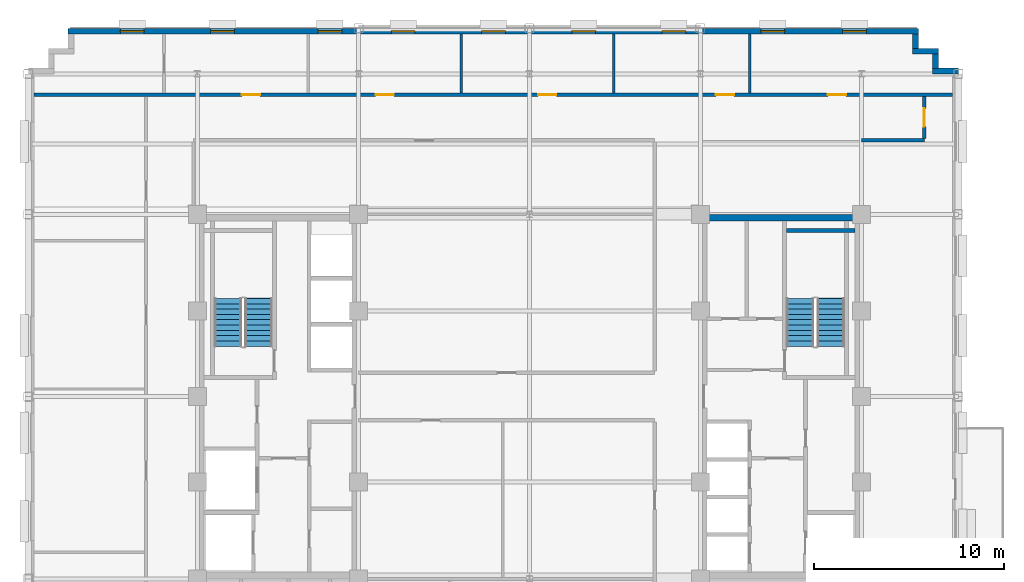
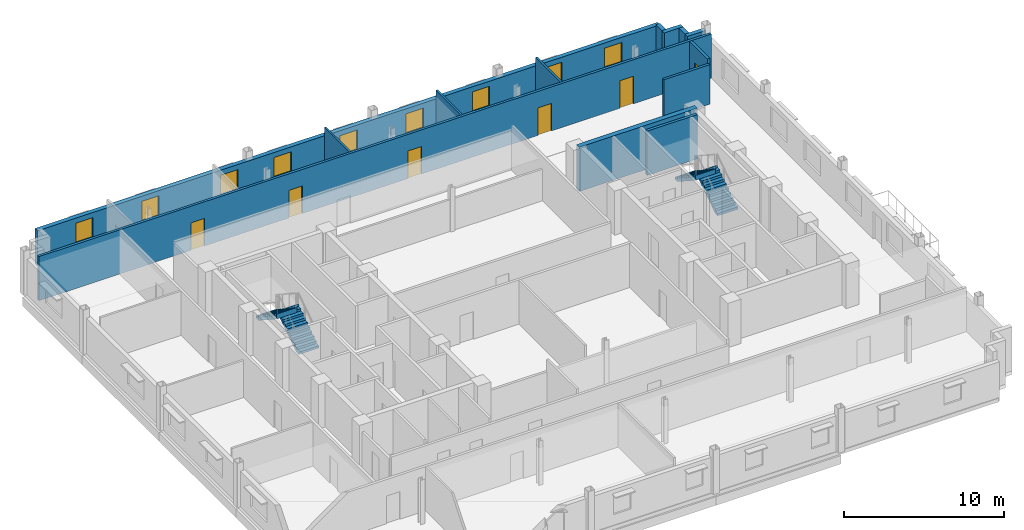
# One storey, part 10 of 15: 13 walls, 9 windows, 6 doors, 4 stair flights, 15 openings, 2 elements without a shape of their own.
"""IFC4 building model written with IfcOpenShell, lengths in metres."""

from ifc_helpers import new_model, si_unit, direction, frame, frame_2d, origin, place, context, subcontext, project, spatial, polyline, rectangle, outline, extrude, source, transform, mapped, material, layer, layer_set, type_object, type_shapes, element, fill, aggregate, save


model = new_model("IFC4")

# Units and contexts
model_context = context("Model", 3, precision=1e-05, world=origin(), true_north=direction((0.0, 1.0)))
body_context = subcontext(model_context, "Body", "Model", "MODEL_VIEW")
ifc_project = project(units=[si_unit("LENGTHUNIT", "METRE"), si_unit("AREAUNIT", "SQUARE_METRE"), si_unit("VOLUMEUNIT", "CUBIC_METRE"), si_unit("PLANEANGLEUNIT", "RADIAN"), si_unit("MASSUNIT", "GRAM", prefix="KILO")], contexts=[model_context])

# Site, building, storey
site_placement = place(None, origin())
site = spatial("IfcSite", under=ifc_project, at=site_placement, CompositionType="ELEMENT")
building_placement = place(site_placement, origin())
building = spatial("IfcBuilding", under=site, at=building_placement, Name="Nuvemarco Arch Tower", CompositionType="ELEMENT")
storey_placement = place(building_placement, frame((0.0, 0.0, 201.85009765625)))
storey = spatial("IfcBuildingStorey", under=building, at=storey_placement, Name="L53", CompositionType="ELEMENT", Elevation=201.85009765625)

# Walls
ifc_material_1 = material(Name="Precast concrete C45/55", Category="concrete")
ifc_layer_1 = layer(ifc_material_1, 0.31005859375, Name="EW-UPP-310")
ifc_layer_set_1 = layer_set([ifc_layer_1], Name="Precast concrete C45/55")
wall_type_1 = type_object("IfcWallType", Name="EW-UPP-310", PredefinedType="STANDARD", material=ifc_layer_set_1)
wall_1_placement = place(storey_placement, frame((21.239990234375, 17.14501953125, 0.0), z_axis=(0.0, 0.0, 1.0), x_axis=(1.0, 0.0, 0.0)))
element("IfcWall", 1, at=wall_1_placement, inside=storey, type_object=wall_type_1, Name="L53 exterior precast facade wall 7", PredefinedType="STANDARD", context=body_context, shape_type="SweptSolid", body=[
    extrude(rectangle(XDim=1.360107421875, YDim=0.31005859375, at=frame_2d((0.68017578125, 0.0))), origin(), (0.0, 0.0, 1.0), 2.81591796875),
])
wall_2_placement = place(storey_placement, frame((21.39501953125, 17.2958984375, 0.0), z_axis=(0.0, 0.0, 1.0), x_axis=(0.0, 1.0, 0.0)))
element("IfcWall", 2, at=wall_2_placement, inside=storey, type_object=wall_type_1, Name="L53 exterior precast facade wall 8", PredefinedType="STANDARD", context=body_context, shape_type="SweptSolid", body=[
    extrude(rectangle(XDim=0.748046875, YDim=0.31005859375, at=frame_2d((0.3740234375, 0.0))), origin(), (0.0, 0.0, 1.0), 2.81591796875),
])
wall_3_placement = place(storey_placement, frame((20.18994140625, 18.195068359375, 0.0), z_axis=(0.0, 0.0, 1.0), x_axis=(1.0, 0.0, 0.0)))
element("IfcWall", 3, at=wall_3_placement, inside=storey, type_object=wall_type_1, Name="L53 exterior precast facade wall 9", PredefinedType="STANDARD", context=body_context, shape_type="SweptSolid", body=[
    extrude(rectangle(XDim=1.360107421875, YDim=0.31005859375, at=frame_2d((0.68017578125, 0.0))), origin(), (0.0, 0.0, 1.0), 2.81591796875),
])
wall_4_placement = place(storey_placement, frame((20.344970703125, 18.345947265625, 0.0), z_axis=(0.0, 0.0, 1.0), x_axis=(0.0, 1.0, 0.0)))
element("IfcWall", 4, at=wall_4_placement, inside=storey, type_object=wall_type_1, Name="L53 exterior precast facade wall 10", PredefinedType="STANDARD", context=body_context, shape_type="SweptSolid", body=[
    extrude(rectangle(XDim=0.748046875, YDim=0.31005859375, at=frame_2d((0.3740234375, 0.0))), origin(), (0.0, 0.0, 1.0), 2.81591796875),
])

# Wall, openings, windows
wall_5_placement = place(storey_placement, frame((-24.300048828125, 19.2451171875, 0.0), z_axis=(0.0, 0.0, 1.0), x_axis=(1.0, 0.0, 0.0)))
wall_5 = element("IfcWall", 5, at=wall_5_placement, inside=storey, type_object=wall_type_1, Name="L53 exterior precast facade wall 11", PredefinedType="STANDARD", context=body_context, shape_type="SweptSolid", body=[
    extrude(rectangle(XDim=44.800048828125, YDim=0.31005859375, at=frame_2d((22.39990234375, 0.0))), origin(), (0.0, 0.0, 1.0), 2.704833984375),
])
opening_1_placement = place(wall_5_placement, frame((2.752685546875, 0.0, 0.800048828125)))
opening_1 = element("IfcOpeningElement", 6, at=opening_1_placement, cuts=wall_5, Name="Opening WN-13", PredefinedType="OPENING", context=body_context, shape_type="SweptSolid", body=[
    extrude(rectangle(XDim=1.25, YDim=1.52001953125, at=frame_2d((0.625, 0.760009765625))), frame((0.0, 0.1650390625, 0.0), z_axis=(0.0, -1.0, 0.0), x_axis=(1.0, 0.0, 0.0)), (0.0, 0.0, 1.0), 0.330078125),
])
opening_2_placement = place(wall_5_placement, frame((7.50830078125, 0.0, 0.800048828125)))
opening_2 = element("IfcOpeningElement", 7, at=opening_2_placement, cuts=wall_5, Name="Opening WN-13", PredefinedType="OPENING", context=body_context, shape_type="SweptSolid", body=[
    extrude(rectangle(XDim=1.25, YDim=1.52001953125, at=frame_2d((0.625, 0.760009765625))), frame((0.0, 0.1650390625, 0.0), z_axis=(0.0, -1.0, 0.0), x_axis=(1.0, 0.0, 0.0)), (0.0, 0.0, 1.0), 0.330078125),
])
opening_3_placement = place(wall_5_placement, frame((13.163818359375, 0.0, 0.800048828125)))
opening_3 = element("IfcOpeningElement", 8, at=opening_3_placement, cuts=wall_5, Name="Opening WN-13", PredefinedType="OPENING", context=body_context, shape_type="SweptSolid", body=[
    extrude(rectangle(XDim=1.25, YDim=1.52001953125, at=frame_2d((0.625, 0.760009765625))), frame((0.0, 0.1650390625, 0.0), z_axis=(0.0, -1.0, 0.0), x_axis=(1.0, 0.0, 0.0)), (0.0, 0.0, 1.0), 0.330078125),
])
opening_4_placement = place(wall_5_placement, frame((17.019287109375, 0.0, 0.800048828125)))
opening_4 = element("IfcOpeningElement", 9, at=opening_4_placement, cuts=wall_5, Name="Opening WN-13", PredefinedType="OPENING", context=body_context, shape_type="SweptSolid", body=[
    extrude(rectangle(XDim=1.25, YDim=1.52001953125, at=frame_2d((0.625, 0.760009765625))), frame((0.0, 0.1650390625, 0.0), z_axis=(0.0, -1.0, 0.0), x_axis=(1.0, 0.0, 0.0)), (0.0, 0.0, 1.0), 0.330078125),
])
opening_5_placement = place(wall_5_placement, frame((21.77490234375, 0.0, 0.800048828125)))
opening_5 = element("IfcOpeningElement", 10, at=opening_5_placement, cuts=wall_5, Name="Opening WN-13", PredefinedType="OPENING", context=body_context, shape_type="SweptSolid", body=[
    extrude(rectangle(XDim=1.25, YDim=1.52001953125, at=frame_2d((0.625, 0.760009765625))), frame((0.0, 0.1650390625, 0.0), z_axis=(0.0, -1.0, 0.0), x_axis=(1.0, 0.0, 0.0)), (0.0, 0.0, 1.0), 0.330078125),
])
opening_6_placement = place(wall_5_placement, frame((26.530517578125, 0.0, 0.800048828125)))
opening_6 = element("IfcOpeningElement", 11, at=opening_6_placement, cuts=wall_5, Name="Opening WN-13", PredefinedType="OPENING", context=body_context, shape_type="SweptSolid", body=[
    extrude(rectangle(XDim=1.25, YDim=1.52001953125, at=frame_2d((0.625, 0.760009765625))), frame((0.0, 0.1650390625, 0.0), z_axis=(0.0, -1.0, 0.0), x_axis=(1.0, 0.0, 0.0)), (0.0, 0.0, 1.0), 0.330078125),
])
opening_7_placement = place(wall_5_placement, frame((31.2861328125, 0.0, 0.800048828125)))
opening_7 = element("IfcOpeningElement", 12, at=opening_7_placement, cuts=wall_5, Name="Opening WN-13", PredefinedType="OPENING", context=body_context, shape_type="SweptSolid", body=[
    extrude(rectangle(XDim=1.25, YDim=1.52001953125, at=frame_2d((0.625, 0.760009765625))), frame((0.0, 0.1650390625, 0.0), z_axis=(0.0, -1.0, 0.0), x_axis=(1.0, 0.0, 0.0)), (0.0, 0.0, 1.0), 0.330078125),
])
opening_8_placement = place(wall_5_placement, frame((36.49169921875, 0.0, 0.800048828125)))
opening_8 = element("IfcOpeningElement", 13, at=opening_8_placement, cuts=wall_5, Name="Opening WN-13", PredefinedType="OPENING", context=body_context, shape_type="SweptSolid", body=[
    extrude(rectangle(XDim=1.25, YDim=1.52001953125, at=frame_2d((0.625, 0.760009765625))), frame((0.0, 0.1650390625, 0.0), z_axis=(0.0, -1.0, 0.0), x_axis=(1.0, 0.0, 0.0)), (0.0, 0.0, 1.0), 0.330078125),
])
opening_9_placement = place(wall_5_placement, frame((40.797119140625, 0.0, 0.800048828125)))
opening_9 = element("IfcOpeningElement", 14, at=opening_9_placement, cuts=wall_5, Name="Opening WN-13", PredefinedType="OPENING", context=body_context, shape_type="SweptSolid", body=[
    extrude(rectangle(XDim=1.25, YDim=1.52001953125, at=frame_2d((0.625, 0.760009765625))), frame((0.0, 0.1650390625, 0.0), z_axis=(0.0, -1.0, 0.0), x_axis=(1.0, 0.0, 0.0)), (0.0, 0.0, 1.0), 0.330078125),
])
ifc_material_2 = material(Name="Insulated solar-control glass", Category="glass")
window_type = type_object("IfcWindowType", Name="WN-SET-1250x1520", PartitioningType="SINGLE_PANEL", PredefinedType="WINDOW", material=ifc_material_2)
shared_shape_1 = source(origin(), body_context, "Body", "SweptSolid", [
    extrude(rectangle(XDim=1.25, YDim=1.52001953125, at=frame_2d((0.625, 0.760009765625))), frame((0.0, 0.030029296875, 0.0), z_axis=(0.0, -1.0, 0.0), x_axis=(1.0, 0.0, 0.0)), (0.0, 0.0, 1.0), 0.06005859375),
])
type_shapes(window_type, [shared_shape_1])
window_1_placement = place(opening_1_placement, origin())
window_1 = element("IfcWindow", 15, at=window_1_placement, inside=storey, type_object=window_type, Name="L53 punched facade window 1", OverallHeight=1.52001953125, OverallWidth=1.25, PartitioningType="SINGLE_PANEL", PredefinedType="WINDOW", context=body_context, shape_type="MappedRepresentation", body=[
    mapped(shared_shape_1, transform((0.0, 0.0, 0.0), scale=1.0)),
])
fill(opening_1, window_1)
window_2_placement = place(opening_2_placement, origin())
window_2 = element("IfcWindow", 16, at=window_2_placement, inside=storey, type_object=window_type, Name="L53 punched facade window 2", OverallHeight=1.52001953125, OverallWidth=1.25, PartitioningType="SINGLE_PANEL", PredefinedType="WINDOW", context=body_context, shape_type="MappedRepresentation", body=[
    mapped(shared_shape_1, transform((0.0, 0.0, 0.0), scale=1.0)),
])
fill(opening_2, window_2)
window_3_placement = place(opening_3_placement, origin())
window_3 = element("IfcWindow", 17, at=window_3_placement, inside=storey, type_object=window_type, Name="L53 punched facade window 3", OverallHeight=1.52001953125, OverallWidth=1.25, PartitioningType="SINGLE_PANEL", PredefinedType="WINDOW", context=body_context, shape_type="MappedRepresentation", body=[
    mapped(shared_shape_1, transform((0.0, 0.0, 0.0), scale=1.0)),
])
fill(opening_3, window_3)
window_4_placement = place(opening_4_placement, origin())
window_4 = element("IfcWindow", 18, at=window_4_placement, inside=storey, type_object=window_type, Name="L53 punched facade window 4", OverallHeight=1.52001953125, OverallWidth=1.25, PartitioningType="SINGLE_PANEL", PredefinedType="WINDOW", context=body_context, shape_type="MappedRepresentation", body=[
    mapped(shared_shape_1, transform((0.0, 0.0, 0.0), scale=1.0)),
])
fill(opening_4, window_4)
window_5_placement = place(opening_5_placement, origin())
window_5 = element("IfcWindow", 19, at=window_5_placement, inside=storey, type_object=window_type, Name="L53 punched facade window 5", OverallHeight=1.52001953125, OverallWidth=1.25, PartitioningType="SINGLE_PANEL", PredefinedType="WINDOW", context=body_context, shape_type="MappedRepresentation", body=[
    mapped(shared_shape_1, transform((0.0, 0.0, 0.0), scale=1.0)),
])
fill(opening_5, window_5)
window_6_placement = place(opening_6_placement, origin())
window_6 = element("IfcWindow", 20, at=window_6_placement, inside=storey, type_object=window_type, Name="L53 punched facade window 6", OverallHeight=1.52001953125, OverallWidth=1.25, PartitioningType="SINGLE_PANEL", PredefinedType="WINDOW", context=body_context, shape_type="MappedRepresentation", body=[
    mapped(shared_shape_1, transform((0.0, 0.0, 0.0), scale=1.0)),
])
fill(opening_6, window_6)
window_7_placement = place(opening_7_placement, origin())
window_7 = element("IfcWindow", 21, at=window_7_placement, inside=storey, type_object=window_type, Name="L53 punched facade window 7", OverallHeight=1.52001953125, OverallWidth=1.25, PartitioningType="SINGLE_PANEL", PredefinedType="WINDOW", context=body_context, shape_type="MappedRepresentation", body=[
    mapped(shared_shape_1, transform((0.0, 0.0, 0.0), scale=1.0)),
])
fill(opening_7, window_7)
window_8_placement = place(opening_8_placement, origin())
window_8 = element("IfcWindow", 22, at=window_8_placement, inside=storey, type_object=window_type, Name="L53 punched facade window 8", OverallHeight=1.52001953125, OverallWidth=1.25, PartitioningType="SINGLE_PANEL", PredefinedType="WINDOW", context=body_context, shape_type="MappedRepresentation", body=[
    mapped(shared_shape_1, transform((0.0, 0.0, 0.0), scale=1.0)),
])
fill(opening_8, window_8)
window_9_placement = place(opening_9_placement, origin())
window_9 = element("IfcWindow", 23, at=window_9_placement, inside=storey, type_object=window_type, Name="L53 punched facade window 9", OverallHeight=1.52001953125, OverallWidth=1.25, PartitioningType="SINGLE_PANEL", PredefinedType="WINDOW", context=body_context, shape_type="MappedRepresentation", body=[
    mapped(shared_shape_1, transform((0.0, 0.0, 0.0), scale=1.0)),
])
fill(opening_9, window_9)

# Walls
ifc_material_3 = material(Name="Concrete C50/60", Category="concrete")
ifc_layer_2 = layer(ifc_material_3, 0.35009765625, Name="WL-CORE-350")
ifc_layer_set_2 = layer_set([ifc_layer_2], Name="Concrete C50/60")
wall_type_2 = type_object("IfcWallType", Name="WL-CORE-350", PredefinedType="SHEAR", material=ifc_layer_set_2)
wall_6_placement = place(storey_placement, frame((9.0, 9.425048828125, 0.0), z_axis=(0.0, 0.0, 1.0), x_axis=(1.0, 0.0, 0.0)))
element("IfcWall", 24, at=wall_6_placement, inside=storey, type_object=wall_type_2, Name="L53 E-core shear wall N", PredefinedType="SHEAR", context=body_context, shape_type="SweptSolid", body=[
    extrude(rectangle(XDim=8.5, YDim=0.35009765625, at=frame_2d((4.25, 0.0))), origin(), (0.0, 0.0, 1.0), 3.369873046875),
])
ifc_material_4 = material(Name="Fire-rated gypsum drywall partition")
ifc_layer_3 = layer(ifc_material_4, 0.179931640625, Name="WL-CORR-180")
ifc_layer_set_3 = layer_set([ifc_layer_3], Name="Fire-rated gypsum drywall partition")
wall_type_3 = type_object("IfcWallType", Name="WL-CORR-180", PredefinedType="PARTITIONING", material=ifc_layer_set_3)
wall_7_placement = place(storey_placement, frame((17.5, 13.5, 0.0), z_axis=(0.0, 0.0, 1.0), x_axis=(1.0, 0.0, 0.0)))
element("IfcWall", 25, at=wall_7_placement, inside=storey, type_object=wall_type_3, Name="L53 interior wall IW-L53-014", PredefinedType="PARTITIONING", context=body_context, shape_type="SweptSolid", body=[
    extrude(rectangle(XDim=3.300048828125, YDim=0.179931640625, at=frame_2d((1.64990234375, 0.0))), origin(), (0.0, 0.0, 1.0), 3.0078125),
])

# Wall, openings, doors
wall_8_placement = place(storey_placement, frame((-26.090087890625, 15.89990234375, 0.0), z_axis=(0.0, 0.0, 1.0), x_axis=(1.0, 0.0, 0.0)))
wall_8 = element("IfcWall", 26, at=wall_8_placement, inside=storey, type_object=wall_type_3, Name="L53 interior wall IW-L53-015", PredefinedType="PARTITIONING", context=body_context, shape_type="SweptSolid", body=[
    extrude(rectangle(XDim=48.380126953125, YDim=0.179931640625, at=frame_2d((24.18994140625, 0.0))), origin(), (0.0, 0.0, 1.0), 3.35986328125),
])
opening_10_placement = place(wall_8_placement, frame((41.81005859375, 0.0, 0.0)))
opening_10 = element("IfcOpeningElement", 27, at=opening_10_placement, cuts=wall_8, Name="Opening FD-5", PredefinedType="OPENING", context=body_context, shape_type="SweptSolid", body=[
    extrude(rectangle(XDim=0.9599609375, YDim=2.10009765625, at=frame_2d((0.47998046875, 1.050048828125))), frame((0.0, 0.099853515625, 0.0), z_axis=(0.0, -1.0, 0.0), x_axis=(1.0, 0.0, 0.0)), (0.0, 0.0, 1.0), 0.199951171875),
])
opening_11_placement = place(wall_8_placement, frame((17.985107421875, 0.0, 0.0)))
opening_11 = element("IfcOpeningElement", 28, at=opening_11_placement, cuts=wall_8, Name="Opening FD-5", PredefinedType="OPENING", context=body_context, shape_type="SweptSolid", body=[
    extrude(rectangle(XDim=0.9599609375, YDim=2.10009765625, at=frame_2d((0.47998046875, 1.050048828125))), frame((0.0, 0.099853515625, 0.0), z_axis=(0.0, -1.0, 0.0), x_axis=(1.0, 0.0, 0.0)), (0.0, 0.0, 1.0), 0.199951171875),
])
opening_12_placement = place(wall_8_placement, frame((26.550048828125, 0.0, 0.0)))
opening_12 = element("IfcOpeningElement", 29, at=opening_12_placement, cuts=wall_8, Name="Opening FD-5", PredefinedType="OPENING", context=body_context, shape_type="SweptSolid", body=[
    extrude(rectangle(XDim=0.9599609375, YDim=2.10009765625, at=frame_2d((0.47998046875, 1.050048828125))), frame((0.0, 0.099853515625, 0.0), z_axis=(0.0, -1.0, 0.0), x_axis=(1.0, 0.0, 0.0)), (0.0, 0.0, 1.0), 0.199951171875),
])
opening_13_placement = place(wall_8_placement, frame((10.93505859375, 0.0, 0.0)))
opening_13 = element("IfcOpeningElement", 30, at=opening_13_placement, cuts=wall_8, Name="Opening FD-5", PredefinedType="OPENING", context=body_context, shape_type="SweptSolid", body=[
    extrude(rectangle(XDim=0.9599609375, YDim=2.10009765625, at=frame_2d((0.47998046875, 1.050048828125))), frame((0.0, 0.099853515625, 0.0), z_axis=(0.0, -1.0, 0.0), x_axis=(1.0, 0.0, 0.0)), (0.0, 0.0, 1.0), 0.199951171875),
])
opening_14_placement = place(wall_8_placement, frame((35.909912109375, 0.0, 0.0)))
opening_14 = element("IfcOpeningElement", 31, at=opening_14_placement, cuts=wall_8, Name="Opening FD-5", PredefinedType="OPENING", context=body_context, shape_type="SweptSolid", body=[
    extrude(rectangle(XDim=0.9599609375, YDim=2.10009765625, at=frame_2d((0.47998046875, 1.050048828125))), frame((0.0, 0.099853515625, 0.0), z_axis=(0.0, -1.0, 0.0), x_axis=(1.0, 0.0, 0.0)), (0.0, 0.0, 1.0), 0.199951171875),
])
ifc_material_5 = material(Name="Timber fire door", Category="wood")
door_type = type_object("IfcDoorType", Name="DR-CORR-FD", OperationType="NOTDEFINED", PredefinedType="DOOR", material=ifc_material_5)
shared_shape_2 = source(origin(), body_context, "Body", "SweptSolid", [
    extrude(rectangle(XDim=0.9599609375, YDim=2.10009765625, at=frame_2d((0.47998046875, 1.050048828125))), frame((0.0, 0.02490234375, 0.0), z_axis=(0.0, -1.0, 0.0), x_axis=(1.0, 0.0, 0.0)), (0.0, 0.0, 1.0), 0.050048828125),
])
type_shapes(door_type, [shared_shape_2])
door_1_placement = place(opening_10_placement, origin())
door_1 = element("IfcDoor", 32, at=door_1_placement, inside=storey, type_object=door_type, Name="L53 door DR-L53-N_6", OperationType="SINGLE_SWING_LEFT", OverallHeight=2.10009765625, OverallWidth=0.9599609375, PredefinedType="DOOR", context=body_context, shape_type="MappedRepresentation", body=[
    mapped(shared_shape_2, transform((0.0, 0.0, 0.0), scale=1.0)),
])
fill(opening_10, door_1)
door_2_placement = place(opening_11_placement, origin())
door_2 = element("IfcDoor", 33, at=door_2_placement, inside=storey, type_object=door_type, Name="L53 door DR-L53-N_3", OperationType="SINGLE_SWING_RIGHT", OverallHeight=2.10009765625, OverallWidth=0.9599609375, PredefinedType="DOOR", context=body_context, shape_type="MappedRepresentation", body=[
    mapped(shared_shape_2, transform((0.0, 0.0, 0.0), scale=1.0)),
])
fill(opening_11, door_2)
door_3_placement = place(opening_12_placement, origin())
door_3 = element("IfcDoor", 34, at=door_3_placement, inside=storey, type_object=door_type, Name="L53 door DR-L53-N_4", OperationType="SINGLE_SWING_LEFT", OverallHeight=2.10009765625, OverallWidth=0.9599609375, PredefinedType="DOOR", context=body_context, shape_type="MappedRepresentation", body=[
    mapped(shared_shape_2, transform((0.0, 0.0, 0.0), scale=1.0)),
])
fill(opening_12, door_3)
door_4_placement = place(opening_13_placement, origin())
door_4 = element("IfcDoor", 35, at=door_4_placement, inside=storey, type_object=door_type, Name="L53 door DR-L53-N_2", OperationType="SINGLE_SWING_LEFT", OverallHeight=2.10009765625, OverallWidth=0.9599609375, PredefinedType="DOOR", context=body_context, shape_type="MappedRepresentation", body=[
    mapped(shared_shape_2, transform((0.0, 0.0, 0.0), scale=1.0)),
])
fill(opening_13, door_4)
door_5_placement = place(opening_14_placement, origin())
door_5 = element("IfcDoor", 36, at=door_5_placement, inside=storey, type_object=door_type, Name="L53 door DR-L53-N_5", OperationType="SINGLE_SWING_LEFT", OverallHeight=2.10009765625, OverallWidth=0.9599609375, PredefinedType="DOOR", context=body_context, shape_type="MappedRepresentation", body=[
    mapped(shared_shape_2, transform((0.0, 0.0, 0.0), scale=1.0)),
])
fill(opening_14, door_5)

# Wall, opening, door
wall_9_placement = place(storey_placement, frame((20.800048828125, 13.5859375, 0.0), z_axis=(0.0, 0.0, 1.0), x_axis=(0.0, 1.0, 0.0)))
wall_9 = element("IfcWall", 37, at=wall_9_placement, inside=storey, type_object=wall_type_3, Name="L53 interior wall IW-L53-034", PredefinedType="PARTITIONING", context=body_context, shape_type="SweptSolid", body=[
    extrude(rectangle(XDim=2.22802734375, YDim=0.179931640625, at=frame_2d((1.114013671875, 0.0))), origin(), (0.0, 0.0, 1.0), 3.35986328125),
])
opening_15_placement = place(wall_9_placement, frame((0.634033203125, 0.0, 0.0)))
opening_15 = element("IfcOpeningElement", 38, at=opening_15_placement, cuts=wall_9, Name="Opening FD-5", PredefinedType="OPENING", context=body_context, shape_type="SweptSolid", body=[
    extrude(rectangle(XDim=0.9599609375, YDim=2.10009765625, at=frame_2d((0.47998046875, 1.050048828125))), frame((0.0, 0.099853515625, 0.0), z_axis=(0.0, -1.0, 0.0), x_axis=(1.0, 0.0, 0.0)), (0.0, 0.0, 1.0), 0.199951171875),
])
door_6_placement = place(opening_15_placement, origin())
door_6 = element("IfcDoor", 39, at=door_6_placement, inside=storey, type_object=door_type, Name="L53 door DR-L53-E_1", OperationType="SINGLE_SWING_RIGHT", OverallHeight=2.10009765625, OverallWidth=0.9599609375, PredefinedType="DOOR", context=body_context, shape_type="MappedRepresentation", body=[
    mapped(shared_shape_2, transform((0.0, 0.0, 0.0), scale=1.0)),
])
fill(opening_15, door_6)

# Walls
ifc_material_6 = material(Name="Glazed acoustic office partition")
ifc_layer_4 = layer(ifc_material_6, 0.1298828125, Name="WL-EXEC-130")
ifc_layer_set_4 = layer_set([ifc_layer_4], Name="Glazed acoustic office partition")
wall_type_4 = type_object("IfcWallType", Name="WL-EXEC-130", PredefinedType="PARTITIONING", material=ifc_layer_set_4)
for number, where, z_axis, x_axis, name in (
    (40, (-3.60009765625, 15.986083984375, 0.0), (0.0, 0.0, 1.0), (0.0, 1.0, 0.0), "L53 interior wall IW-L53-026"),
    (41, (4.43994140625, 15.986083984375, 0.0), (0.0, 0.0, 1.0), (0.0, 1.0, 0.0), "L53 interior wall IW-L53-029"),
    (42, (11.60009765625, 15.986083984375, 0.0), (0.0, 0.0, 1.0), (0.0, 1.0, 0.0), "L53 interior wall IW-L53-032"),
):
    element("IfcWall", number, at=place(storey_placement, frame(where, z_axis=z_axis, x_axis=x_axis)), inside=storey, type_object=wall_type_4, Name=name, PredefinedType="PARTITIONING", context=body_context, shape_type="SweptSolid", body=[
        extrude(rectangle(XDim=3.10400390625, YDim=0.1298828125, at=frame_2d((1.552001953125, 0.0))), origin(), (0.0, 0.0, 1.0), 3.35986328125),
    ])
ifc_layer_5 = layer(ifc_material_3, 0.199951171875, Name="WL-SHAFT-220")
ifc_layer_set_5 = layer_set([ifc_layer_5], Name="Concrete C50/60")
wall_type_5 = type_object("IfcWallType", Name="WL-SHAFT-220", PredefinedType="SHEAR", material=ifc_layer_set_5)
wall_10_placement = place(storey_placement, frame((13.534912109375, 8.75, 0.0), z_axis=(0.0, 0.0, 1.0), x_axis=(1.0, 0.0, 0.0)))
element("IfcWall", 43, at=wall_10_placement, inside=storey, type_object=wall_type_5, Name="L53 structural shaft wall SW-L53-E-ST2N", PredefinedType="SHEAR", context=body_context, shape_type="SweptSolid", body=[
    extrude(rectangle(XDim=3.6201171875, YDim=0.199951171875, at=frame_2d((1.81005859375, 0.0))), origin(), (0.0, 0.0, 1.0), 3.369873046875),
])

# Stair, stair flights
stair_type = type_object("IfcStairType", Name="ST-CORE-20R", PredefinedType="HALF_TURN_STAIR", material=ifc_material_1)
stair_1_placement = place(storey_placement, origin())
stair_1 = element("IfcStair", 44, at=stair_1_placement, inside=storey, type_object=stair_type, Name="L53 Protected Exit Stair ST-1", PredefinedType="HALF_TURN_STAIR")
stair_flight_type = type_object("IfcStairFlightType", Name="SF-CORE-20R", PredefinedType="STRAIGHT", material=ifc_material_1)
stair_flight_1_placement = place(storey_placement, frame((-14.264892578125, 2.64990234375, 0.0), z_axis=(0.0, 0.0, 1.0), x_axis=(0.0, 1.0, 0.0)))
stair_flight_1 = element("IfcStairFlight", 45, at=stair_flight_1_placement, type_object=stair_flight_type, Name="ST-20R flight 1", NumberOfRisers=10, NumberOfTreads=9, PredefinedType="STRAIGHT", RiserHeight=0.1825, TreadLength=0.28, context=body_context, shape_type="SweptSolid", body=[
    extrude(outline(polyline([(0.0, 0.0), (0.0, 0.1826171875), (0.280029296875, 0.1826171875), (0.280029296875, 0.364990234375), (0.56005859375, 0.364990234375), (0.56005859375, 0.547607421875), (0.840087890625, 0.547607421875), (0.840087890625, 0.72998046875), (1.1201171875, 0.72998046875), (1.1201171875, 0.91259765625), (1.39990234375, 0.91259765625), (1.39990234375, 1.094970703125), (1.679931640625, 1.094970703125), (1.679931640625, 1.277587890625), (1.9599609375, 1.277587890625), (1.9599609375, 1.4599609375), (2.239990234375, 1.4599609375), (2.239990234375, 1.642578125), (2.52001953125, 1.642578125), (2.52001953125, 1.824951171875), (2.5400390625, 1.824951171875), (2.5400390625, 1.45166015625), (0.312744140625, 0.0), (0.0, 0.0)])), frame((0.0, 0.72509765625, 0.0), z_axis=(0.0, -1.0, 0.0), x_axis=(1.0, 0.0, 0.0)), (0.0, 0.0, 1.0), 1.449951171875),
])
stair_flight_2_placement = place(storey_placement, frame((-15.875, 5.169921875, 1.824951171875), z_axis=(0.0, 0.0, 1.0), x_axis=(0.0, -1.0, 0.0)))
stair_flight_2 = element("IfcStairFlight", 46, at=stair_flight_2_placement, type_object=stair_flight_type, Name="ST-20R flight 2", NumberOfRisers=10, NumberOfTreads=9, PredefinedType="STRAIGHT", RiserHeight=0.1825, TreadLength=0.28, context=body_context, shape_type="SweptSolid", body=[
    extrude(outline(polyline([(0.0, 0.0), (0.0, 0.1826171875), (0.280029296875, 0.1826171875), (0.280029296875, 0.364990234375), (0.56005859375, 0.364990234375), (0.56005859375, 0.547607421875), (0.840087890625, 0.547607421875), (0.840087890625, 0.72998046875), (1.1201171875, 0.72998046875), (1.1201171875, 0.91259765625), (1.39990234375, 0.91259765625), (1.39990234375, 1.094970703125), (1.679931640625, 1.094970703125), (1.679931640625, 1.277587890625), (1.9599609375, 1.277587890625), (1.9599609375, 1.4599609375), (2.239990234375, 1.4599609375), (2.239990234375, 1.642578125), (2.52001953125, 1.642578125), (2.52001953125, 1.824951171875), (2.5400390625, 1.824951171875), (2.5400390625, 1.45166015625), (0.312744140625, 0.0), (0.0, 0.0)])), frame((0.0, 0.72509765625, 0.0), z_axis=(0.0, -1.0, 0.0), x_axis=(1.0, 0.0, 0.0)), (0.0, 0.0, 1.0), 1.449951171875),
])
aggregate(stair_1, [stair_flight_1, stair_flight_2])

stair_2_placement = place(storey_placement, origin())
stair_2 = element("IfcStair", 47, at=stair_2_placement, inside=storey, type_object=stair_type, Name="L53 Protected Exit Stair ST-2", PredefinedType="HALF_TURN_STAIR")
stair_flight_3_placement = place(storey_placement, frame((15.875, 2.64990234375, 0.0), z_axis=(0.0, 0.0, 1.0), x_axis=(0.0, 1.0, 0.0)))
stair_flight_3 = element("IfcStairFlight", 48, at=stair_flight_3_placement, type_object=stair_flight_type, Name="ST-20R flight 1", NumberOfRisers=10, NumberOfTreads=9, PredefinedType="STRAIGHT", RiserHeight=0.1825, TreadLength=0.28, context=body_context, shape_type="SweptSolid", body=[
    extrude(outline(polyline([(0.0, 0.0), (0.0, 0.1826171875), (0.280029296875, 0.1826171875), (0.280029296875, 0.364990234375), (0.56005859375, 0.364990234375), (0.56005859375, 0.547607421875), (0.840087890625, 0.547607421875), (0.840087890625, 0.72998046875), (1.1201171875, 0.72998046875), (1.1201171875, 0.91259765625), (1.39990234375, 0.91259765625), (1.39990234375, 1.094970703125), (1.679931640625, 1.094970703125), (1.679931640625, 1.277587890625), (1.9599609375, 1.277587890625), (1.9599609375, 1.4599609375), (2.239990234375, 1.4599609375), (2.239990234375, 1.642578125), (2.52001953125, 1.642578125), (2.52001953125, 1.824951171875), (2.5400390625, 1.824951171875), (2.5400390625, 1.45166015625), (0.312744140625, 0.0), (0.0, 0.0)])), frame((0.0, 0.72509765625, 0.0), z_axis=(0.0, -1.0, 0.0), x_axis=(1.0, 0.0, 0.0)), (0.0, 0.0, 1.0), 1.449951171875),
])
stair_flight_4_placement = place(storey_placement, frame((14.264892578125, 5.169921875, 1.824951171875), z_axis=(0.0, 0.0, 1.0), x_axis=(0.0, -1.0, 0.0)))
stair_flight_4 = element("IfcStairFlight", 49, at=stair_flight_4_placement, type_object=stair_flight_type, Name="ST-20R flight 2", NumberOfRisers=10, NumberOfTreads=9, PredefinedType="STRAIGHT", RiserHeight=0.1825, TreadLength=0.28, context=body_context, shape_type="SweptSolid", body=[
    extrude(outline(polyline([(0.0, 0.0), (0.0, 0.1826171875), (0.280029296875, 0.1826171875), (0.280029296875, 0.364990234375), (0.56005859375, 0.364990234375), (0.56005859375, 0.547607421875), (0.840087890625, 0.547607421875), (0.840087890625, 0.72998046875), (1.1201171875, 0.72998046875), (1.1201171875, 0.91259765625), (1.39990234375, 0.91259765625), (1.39990234375, 1.094970703125), (1.679931640625, 1.094970703125), (1.679931640625, 1.277587890625), (1.9599609375, 1.277587890625), (1.9599609375, 1.4599609375), (2.239990234375, 1.4599609375), (2.239990234375, 1.642578125), (2.52001953125, 1.642578125), (2.52001953125, 1.824951171875), (2.5400390625, 1.824951171875), (2.5400390625, 1.45166015625), (0.312744140625, 0.0), (0.0, 0.0)])), frame((0.0, 0.72509765625, 0.0), z_axis=(0.0, -1.0, 0.0), x_axis=(1.0, 0.0, 0.0)), (0.0, 0.0, 1.0), 1.449951171875),
])
aggregate(stair_2, [stair_flight_3, stair_flight_4])

save(model, "model.ifc")
